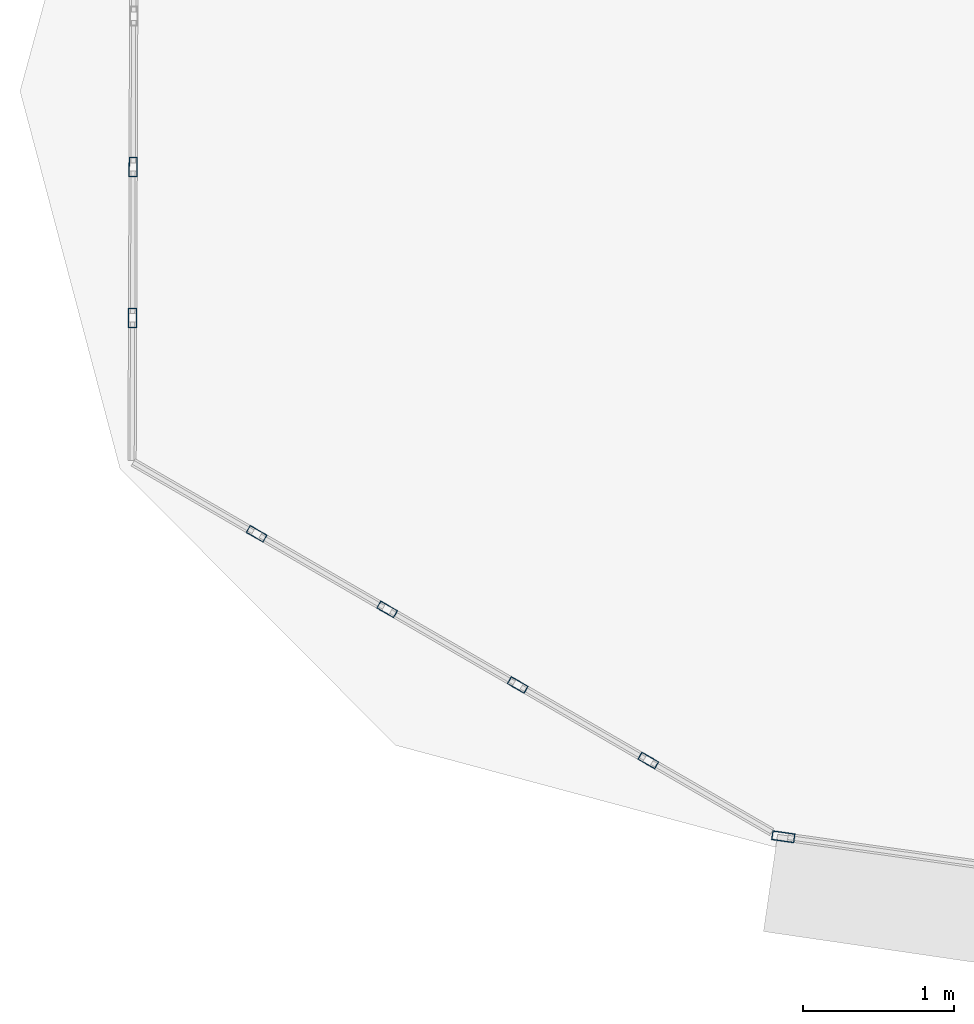
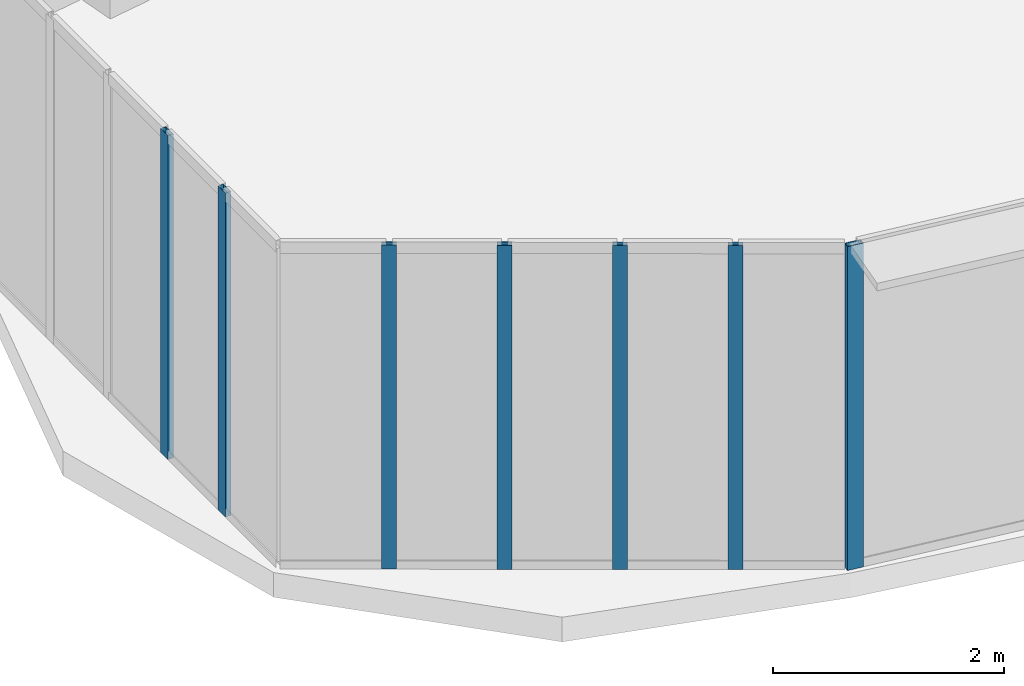
# One storey, part 2 of 42: 7 members, 3 elements without a shape of their own.
"""IFC4 building model written with IfcOpenShell, lengths in metres."""

from ifc_helpers import new_model, si_unit, direction, frame, origin, origin_2d, place, context, subcontext, project, spatial, hollow_rectangle, extrude, source, transform, mapped, material, layer, layer_set, material_profile, profile_set, type_object, element, aggregate, save


model = new_model("IFC4")

# Units and contexts
model_context = context("Model", 3, precision=1e-05, world=origin(), true_north=direction((0.0, 1.0)))
body_context = subcontext(model_context, "Body", "Model", "MODEL_VIEW")
ifc_project = project(units=[si_unit("LENGTHUNIT", "METRE"), si_unit("AREAUNIT", "SQUARE_METRE"), si_unit("VOLUMEUNIT", "CUBIC_METRE"), si_unit("PLANEANGLEUNIT", "RADIAN"), si_unit("MASSUNIT", "GRAM", prefix="KILO"), si_unit("THERMODYNAMICTEMPERATUREUNIT", "KELVIN"), si_unit("POWERUNIT", "WATT")], contexts=[model_context])

# Site, building, storey
site_placement = place(None, origin())
site = spatial("IfcSite", under=ifc_project, at=site_placement, CompositionType="ELEMENT")
building_placement = place(site_placement, origin())
building = spatial("IfcBuilding", under=site, at=building_placement, Name="Yunzhuo Pagoda Commons", CompositionType="ELEMENT")
storey_placement = place(building_placement, frame((0.0, 0.0, 129.830078125)))
storey = spatial("IfcBuildingStorey", under=building, at=storey_placement, Name="L32", CompositionType="ELEMENT", Elevation=129.830078125)

# Curtain wall, member
ifc_material = material(Name="Anodized aluminium 6063-T6", Category="aluminium")
ifc_layer_1 = layer(ifc_material, 0.14990234375)
ifc_layer_set_1 = layer_set([ifc_layer_1], Name="Anodized aluminium 6063-T6")
curtain_wall_type_1 = type_object("IfcCurtainWallType", Name="CW-MID Mid-Zone Ribbon Curtain Wall", PredefinedType="NOTDEFINED", material=ifc_layer_set_1)
curtain_wall_1_placement = place(storey_placement, origin())
curtain_wall_1 = element("IfcCurtainWall", 1, at=curtain_wall_1_placement, inside=storey, type_object=curtain_wall_type_1, Name="L32 curtain wall CW-L32-F1B1", PredefinedType="NOTDEFINED")
ifc_material_profile_1 = material_profile(ifc_material, hollow_rectangle(XDim=0.06005859375, YDim=0.14990234375, WallThickness=0.00390625, at=origin_2d()), Name="Anodized aluminium 6063-T6")
ifc_profile_set_1 = profile_set([ifc_material_profile_1], Name="Anodized aluminium 6063-T6")
member_type_1 = type_object("IfcMemberType", Name="CW-MID-M Mullion RHS 150x60x4", PredefinedType="MULLION", material=ifc_profile_set_1)
shared_shape_1 = source(origin(), body_context, "Body", "SweptSolid", [
    extrude(hollow_rectangle(XDim=0.06005859375, YDim=0.14990234375, WallThickness=0.00390625, at=origin_2d()), origin(), (0.0, 0.0, 1.0), 3.419921875),
])
member_1_placement = place(storey_placement, frame((12.0576171875, 16.254638671875, 0.0), z_axis=(0.0, 0.0, 1.0), x_axis=(0.140026939768, 0.990147694104, 0.0)))
member_1 = element("IfcMember", 2, at=member_1_placement, type_object=member_type_1, Name="CW mullion 1", PredefinedType="MULLION", context=body_context, shape_type="MappedRepresentation", body=[
    mapped(shared_shape_1, transform((0.0, 0.0, 0.0), scale=1.0)),
])
aggregate(curtain_wall_1, [member_1])

# Curtain wall, members
ifc_layer_2 = layer(ifc_material, 0.1298828125)
ifc_layer_set_2 = layer_set([ifc_layer_2], Name="Anodized aluminium 6063-T6")
curtain_wall_type_2 = type_object("IfcCurtainWallType", Name="CW-VTX Rounded Corner Curtain Wall", PredefinedType="NOTDEFINED", material=ifc_layer_set_2)
curtain_wall_2_placement = place(storey_placement, origin())
curtain_wall_2 = element("IfcCurtainWall", 3, at=curtain_wall_2_placement, inside=storey, type_object=curtain_wall_type_2, Name="L32 curtain wall CW-L32-VTX1S1", PredefinedType="NOTDEFINED")
ifc_material_profile_2 = material_profile(ifc_material, hollow_rectangle(XDim=0.054931640625, YDim=0.1298828125, WallThickness=0.00341796875, at=origin_2d()), Name="Anodized aluminium 6063-T6")
ifc_profile_set_2 = profile_set([ifc_material_profile_2], Name="Anodized aluminium 6063-T6")
member_type_2 = type_object("IfcMemberType", Name="CW-VTX-M Mullion RHS 130x55x3.5", PredefinedType="MULLION", material=ifc_profile_set_2)
shared_shape_2 = source(origin(), body_context, "Body", "SweptSolid", [
    extrude(hollow_rectangle(XDim=0.054931640625, YDim=0.1298828125, WallThickness=0.00341796875, at=origin_2d()), origin(), (0.0, 0.0, 1.0), 3.419921875),
])
member_2_placement = place(storey_placement, frame((7.755859375, 20.686279296875, 0.0), z_axis=(0.0, 0.0, 1.0), x_axis=(0.999993568215, -0.003586576275, 0.0)))
member_2 = element("IfcMember", 4, at=member_2_placement, type_object=member_type_2, Name="CW mullion 4", PredefinedType="MULLION", context=body_context, shape_type="MappedRepresentation", body=[
    mapped(shared_shape_2, transform((0.0, 0.0, 0.0), scale=1.0)),
])
member_3_placement = place(storey_placement, frame((7.752197265625, 19.68798828125, 0.0), z_axis=(0.0, 0.0, 1.0), x_axis=(0.999993568215, -0.003586576275, 0.0)))
member_3 = element("IfcMember", 5, at=member_3_placement, type_object=member_type_2, Name="CW mullion 5", PredefinedType="MULLION", context=body_context, shape_type="MappedRepresentation", body=[
    mapped(shared_shape_2, transform((0.0, 0.0, 0.0), scale=1.0)),
])
aggregate(curtain_wall_2, [member_2, member_3])

curtain_wall_3_placement = place(storey_placement, origin())
curtain_wall_3 = element("IfcCurtainWall", 6, at=curtain_wall_3_placement, inside=storey, type_object=curtain_wall_type_2, Name="L32 curtain wall CW-L32-VTX1S2", PredefinedType="NOTDEFINED")
member_4_placement = place(storey_placement, frame((8.57275390625, 18.25927734375, 0.0), z_axis=(0.0, 0.0, 1.0), x_axis=(0.501037850191, 0.865425370946, 0.0)))
member_4 = element("IfcMember", 7, at=member_4_placement, type_object=member_type_2, Name="CW mullion 2", PredefinedType="MULLION", context=body_context, shape_type="MappedRepresentation", body=[
    mapped(shared_shape_2, transform((0.0, 0.0, 0.0), scale=1.0)),
])
member_5_placement = place(storey_placement, frame((9.4365234375, 17.75927734375, 0.0), z_axis=(0.0, 0.0, 1.0), x_axis=(0.501037850191, 0.865425370946, 0.0)))
member_5 = element("IfcMember", 8, at=member_5_placement, type_object=member_type_2, Name="CW mullion 3", PredefinedType="MULLION", context=body_context, shape_type="MappedRepresentation", body=[
    mapped(shared_shape_2, transform((0.0, 0.0, 0.0), scale=1.0)),
])
member_6_placement = place(storey_placement, frame((10.30029296875, 17.259033203125, 0.0), z_axis=(0.0, 0.0, 1.0), x_axis=(0.501037850191, 0.865425370946, 0.0)))
member_6 = element("IfcMember", 9, at=member_6_placement, type_object=member_type_2, Name="CW mullion 4", PredefinedType="MULLION", context=body_context, shape_type="MappedRepresentation", body=[
    mapped(shared_shape_2, transform((0.0, 0.0, 0.0), scale=1.0)),
])
member_7_placement = place(storey_placement, frame((11.164306640625, 16.759033203125, 0.0), z_axis=(0.0, 0.0, 1.0), x_axis=(0.501037850191, 0.865425370946, 0.0)))
member_7 = element("IfcMember", 10, at=member_7_placement, type_object=member_type_2, Name="CW mullion 5", PredefinedType="MULLION", context=body_context, shape_type="MappedRepresentation", body=[
    mapped(shared_shape_2, transform((0.0, 0.0, 0.0), scale=1.0)),
])
aggregate(curtain_wall_3, [member_4, member_5, member_6, member_7])

save(model, "model.ifc")
